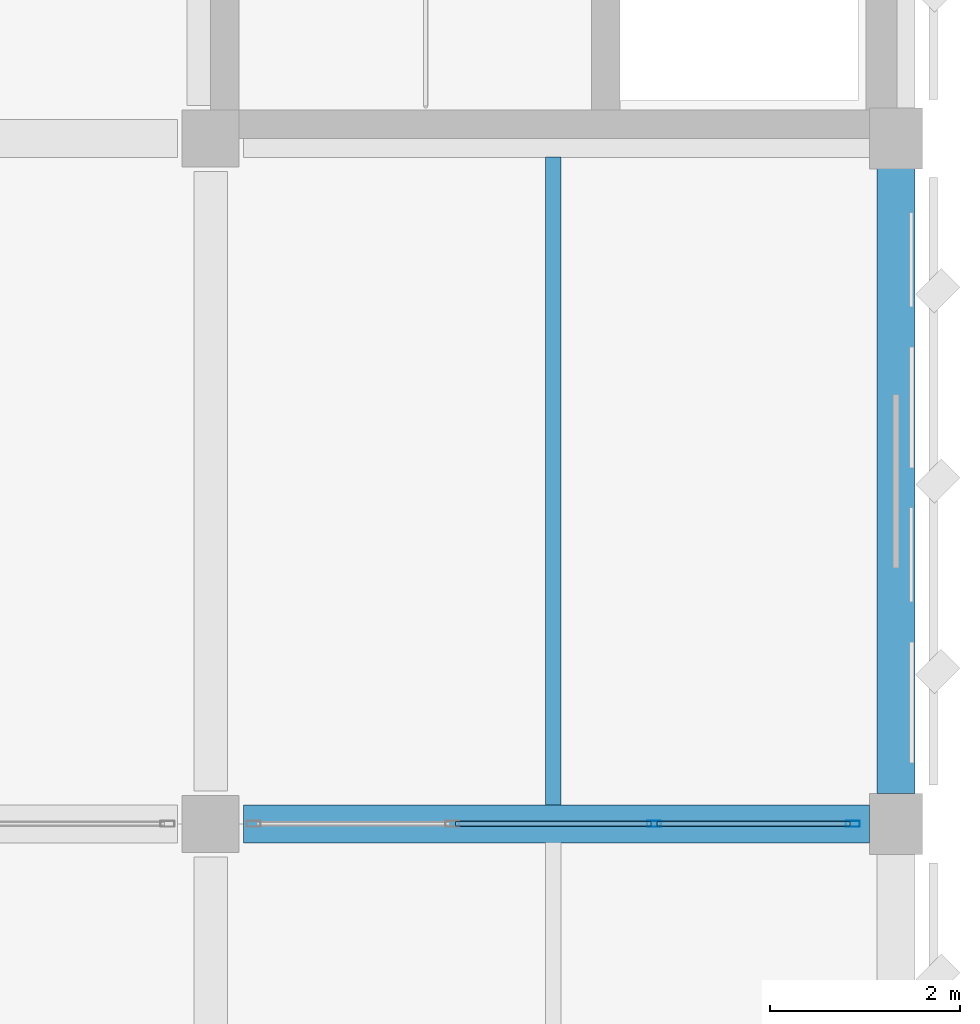
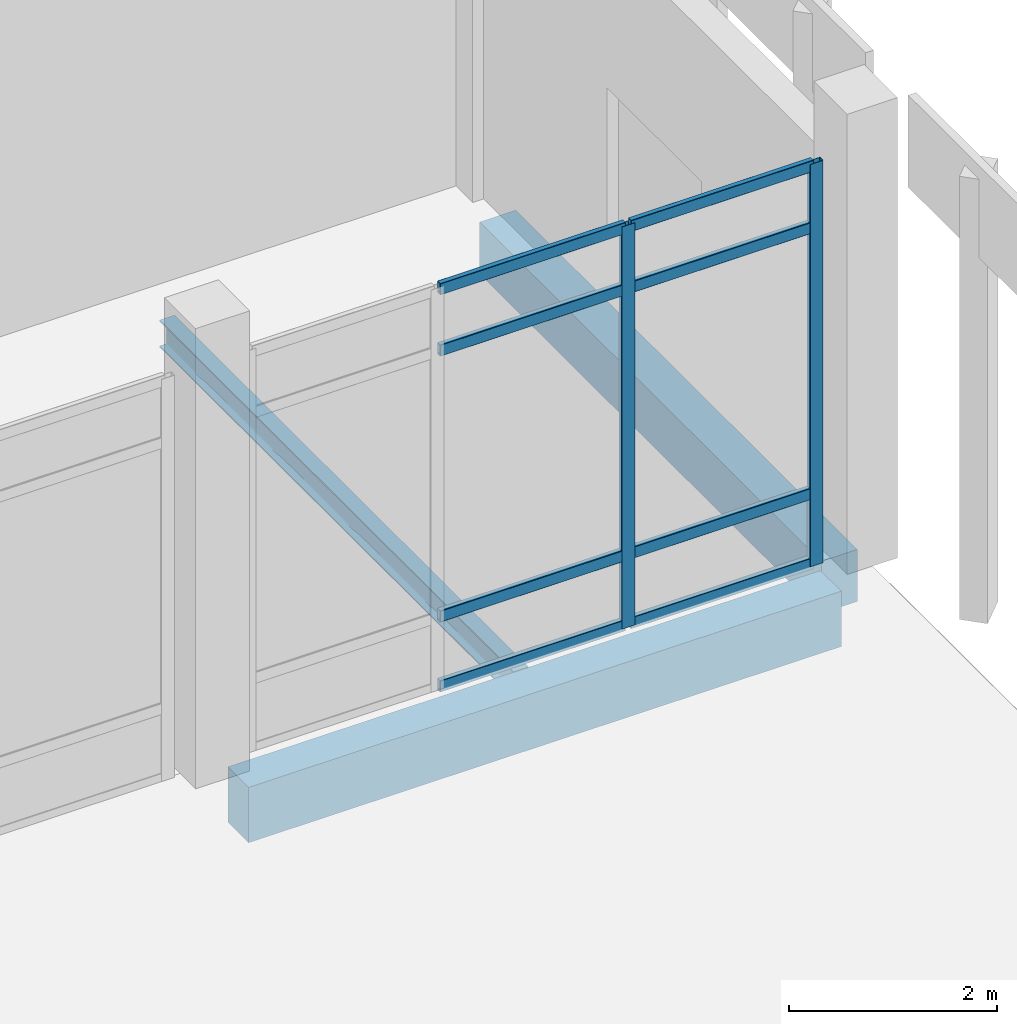
# One storey, part 136 of 180: 10 members, 3 beams, 1 element without a shape of its own.
"""IFC4 building model written with IfcOpenShell, lengths in metres."""

from ifc_helpers import new_model, si_unit, direction, frame, origin, origin_2d, place, context, subcontext, project, spatial, rectangle, hollow_rectangle, i_section, extrude, material, material_profile, profile_set, type_object, element, aggregate, save


model = new_model("IFC4")

# Units and contexts
model_context = context("Model", 3, precision=1e-05, world=origin(), true_north=direction((0.0, 1.0)))
body_context = subcontext(model_context, "Body", "Model", "MODEL_VIEW")
ifc_project = project(units=[si_unit("LENGTHUNIT", "METRE"), si_unit("AREAUNIT", "SQUARE_METRE"), si_unit("VOLUMEUNIT", "CUBIC_METRE"), si_unit("PLANEANGLEUNIT", "RADIAN"), si_unit("MASSUNIT", "GRAM", prefix="KILO")], contexts=[model_context])

# Site, building, storey
site_placement = place(None, origin())
site = spatial("IfcSite", under=ifc_project, at=site_placement, CompositionType="ELEMENT")
building_placement = place(site_placement, origin())
building = spatial("IfcBuilding", under=site, at=building_placement, Name="Lusvemor Sports Hall", CompositionType="ELEMENT")
storey_placement = place(building_placement, frame((0.0, 0.0, 5.39990234375)))
storey = spatial("IfcBuildingStorey", under=building, at=storey_placement, Name="L01", CompositionType="ELEMENT", Elevation=5.39990234375)

# Beam
ifc_material_1 = material(Name="Concrete C40/50", Category="concrete")
ifc_material_profile_1 = material_profile(ifc_material_1, rectangle(XDim=0.39990234375, YDim=0.64990234375, at=origin_2d()), Name="RC400x650")
ifc_profile_set_1 = profile_set([ifc_material_profile_1], Name="Concrete C40/50")
beam_type_1 = type_object("IfcBeamType", Name="BEAM_RC_650", PredefinedType="BEAM", material=ifc_profile_set_1)
beam_1_placement = place(storey_placement, frame((162.345947265625, 97.199951171875, -0.594970703125), z_axis=(1.0, 0.0, 0.0), x_axis=(0.0, 1.0, 0.0)))
element("IfcBeam", 1, at=beam_1_placement, inside=storey, type_object=beam_type_1, Name="Beam L01 N:19-20", PredefinedType="BEAM", context=body_context, shape_type="SweptSolid", body=[
    extrude(rectangle(XDim=0.39990234375, YDim=0.64990234375, at=origin_2d()), origin(), (0.0, 0.0, 1.0), 6.578125),
])

# Curtain wall, members
ifc_material_2 = material(Name="Thermally broken bronze-anodized aluminium", Category="aluminium")
curtain_wall_type = type_object("IfcCurtainWallType", Name="CW_WING_B", PredefinedType="NOTDEFINED", material=ifc_material_2)
curtain_wall_placement = place(storey_placement, origin())
curtain_wall = element("IfcCurtainWall", 2, at=curtain_wall_placement, inside=storey, type_object=curtain_wall_type, Name="Curtain Wall CW-L01-S-3-16", PredefinedType="NOTDEFINED")
ifc_material_3 = material(Name="Thermally broken bronze-anodized aluminium", Category="aluminium")
ifc_material_profile_2 = material_profile(ifc_material_3, hollow_rectangle(XDim=0.06494140625, YDim=0.14990234375, WallThickness=0.00390625, InnerFilletRadius=0.00390625, OuterFilletRadius=0.008056640625, at=origin_2d()), Name="CWMUL150x65x4")
ifc_profile_set_2 = profile_set([ifc_material_profile_2], Name="Thermally broken bronze-anodized aluminium")
member_type_1 = type_object("IfcMemberType", Name="CW_MUL_B", PredefinedType="MULLION", material=ifc_profile_set_2)
member_1_placement = place(storey_placement, frame((168.74755859375, 97.199951171875, 0.0), z_axis=(0.0, 0.0, 1.0), x_axis=(0.0, -1.0, 0.0)))
member_1 = element("IfcMember", 3, at=member_1_placement, type_object=member_type_1, Name="CW02 mullion 1", PredefinedType="MULLION", context=body_context, shape_type="SweptSolid", body=[
    extrude(hollow_rectangle(XDim=0.06494140625, YDim=0.14990234375, WallThickness=0.00390625, InnerFilletRadius=0.00390625, OuterFilletRadius=0.008056640625, at=origin_2d()), origin(), (0.0, 0.0, 1.0), 4.72021484375),
])
member_2_placement = place(storey_placement, frame((166.659912109375, 97.199951171875, 0.0), z_axis=(0.0, 0.0, 1.0), x_axis=(0.0, -1.0, 0.0)))
member_2 = element("IfcMember", 4, at=member_2_placement, type_object=member_type_1, Name="CW02 mullion 2", PredefinedType="MULLION", context=body_context, shape_type="SweptSolid", body=[
    extrude(hollow_rectangle(XDim=0.06494140625, YDim=0.14990234375, WallThickness=0.00390625, InnerFilletRadius=0.00390625, OuterFilletRadius=0.008056640625, at=origin_2d()), origin(), (0.0, 0.0, 1.0), 4.72021484375),
])
ifc_material_4 = material(Name="Thermally broken bronze-anodized aluminium", Category="aluminium")
ifc_material_profile_3 = material_profile(ifc_material_4, hollow_rectangle(XDim=0.06005859375, YDim=0.135009765625, WallThickness=0.00390625, InnerFilletRadius=0.00390625, OuterFilletRadius=0.008056640625, at=origin_2d()), Name="CWTRN135x60x4")
ifc_profile_set_3 = profile_set([ifc_material_profile_3], Name="Thermally broken bronze-anodized aluminium")
member_type_2 = type_object("IfcMemberType", Name="CW_TRN_B", PredefinedType="USERDEFINED", material=ifc_profile_set_3)
member_3_placement = place(storey_placement, frame((168.715087890625, 97.199951171875, 0.030029296875), z_axis=(-1.0, 0.0, 0.0), x_axis=(0.0, -1.0, 0.0)))
member_3 = element("IfcMember", 5, at=member_3_placement, type_object=member_type_2, Name="CW02 transom 1.1", ObjectType="TRANSOM", PredefinedType="USERDEFINED", context=body_context, shape_type="SweptSolid", body=[
    extrude(hollow_rectangle(XDim=0.06005859375, YDim=0.135009765625, WallThickness=0.00390625, InnerFilletRadius=0.00390625, OuterFilletRadius=0.008056640625, at=origin_2d()), origin(), (0.0, 0.0, 1.0), 2.022705078125),
])
member_4_placement = place(storey_placement, frame((168.715087890625, 97.199951171875, 0.85009765625), z_axis=(-1.0, 0.0, 0.0), x_axis=(0.0, -1.0, 0.0)))
member_4 = element("IfcMember", 6, at=member_4_placement, type_object=member_type_2, Name="CW02 transom 1.2", ObjectType="TRANSOM", PredefinedType="USERDEFINED", context=body_context, shape_type="SweptSolid", body=[
    extrude(hollow_rectangle(XDim=0.06005859375, YDim=0.135009765625, WallThickness=0.00390625, InnerFilletRadius=0.00390625, OuterFilletRadius=0.008056640625, at=origin_2d()), origin(), (0.0, 0.0, 1.0), 2.022705078125),
])
member_5_placement = place(storey_placement, frame((168.715087890625, 97.199951171875, 3.97021484375), z_axis=(-1.0, 0.0, 0.0), x_axis=(0.0, -1.0, 0.0)))
member_5 = element("IfcMember", 7, at=member_5_placement, type_object=member_type_2, Name="CW02 transom 1.3", ObjectType="TRANSOM", PredefinedType="USERDEFINED", context=body_context, shape_type="SweptSolid", body=[
    extrude(hollow_rectangle(XDim=0.06005859375, YDim=0.135009765625, WallThickness=0.00390625, InnerFilletRadius=0.00390625, OuterFilletRadius=0.008056640625, at=origin_2d()), origin(), (0.0, 0.0, 1.0), 2.022705078125),
])
member_6_placement = place(storey_placement, frame((168.715087890625, 97.199951171875, 4.690185546875), z_axis=(-1.0, 0.0, 0.0), x_axis=(0.0, -1.0, 0.0)))
member_6 = element("IfcMember", 8, at=member_6_placement, type_object=member_type_2, Name="CW02 transom 1.4", ObjectType="TRANSOM", PredefinedType="USERDEFINED", context=body_context, shape_type="SweptSolid", body=[
    extrude(hollow_rectangle(XDim=0.06005859375, YDim=0.135009765625, WallThickness=0.00390625, InnerFilletRadius=0.00390625, OuterFilletRadius=0.008056640625, at=origin_2d()), origin(), (0.0, 0.0, 1.0), 2.022705078125),
])
member_7_placement = place(storey_placement, frame((166.62744140625, 97.199951171875, 0.030029296875), z_axis=(-1.0, 0.0, 0.0), x_axis=(0.0, -1.0, 0.0)))
member_7 = element("IfcMember", 9, at=member_7_placement, type_object=member_type_2, Name="CW02 transom 2.1", ObjectType="TRANSOM", PredefinedType="USERDEFINED", context=body_context, shape_type="SweptSolid", body=[
    extrude(hollow_rectangle(XDim=0.06005859375, YDim=0.135009765625, WallThickness=0.00390625, InnerFilletRadius=0.00390625, OuterFilletRadius=0.008056640625, at=origin_2d()), origin(), (0.0, 0.0, 1.0), 2.054931640625),
])
member_8_placement = place(storey_placement, frame((166.62744140625, 97.199951171875, 0.85009765625), z_axis=(-1.0, 0.0, 0.0), x_axis=(0.0, -1.0, 0.0)))
member_8 = element("IfcMember", 10, at=member_8_placement, type_object=member_type_2, Name="CW02 transom 2.2", ObjectType="TRANSOM", PredefinedType="USERDEFINED", context=body_context, shape_type="SweptSolid", body=[
    extrude(hollow_rectangle(XDim=0.06005859375, YDim=0.135009765625, WallThickness=0.00390625, InnerFilletRadius=0.00390625, OuterFilletRadius=0.008056640625, at=origin_2d()), origin(), (0.0, 0.0, 1.0), 2.054931640625),
])
member_9_placement = place(storey_placement, frame((166.62744140625, 97.199951171875, 3.97021484375), z_axis=(-1.0, 0.0, 0.0), x_axis=(0.0, -1.0, 0.0)))
member_9 = element("IfcMember", 11, at=member_9_placement, type_object=member_type_2, Name="CW02 transom 2.3", ObjectType="TRANSOM", PredefinedType="USERDEFINED", context=body_context, shape_type="SweptSolid", body=[
    extrude(hollow_rectangle(XDim=0.06005859375, YDim=0.135009765625, WallThickness=0.00390625, InnerFilletRadius=0.00390625, OuterFilletRadius=0.008056640625, at=origin_2d()), origin(), (0.0, 0.0, 1.0), 2.054931640625),
])
member_10_placement = place(storey_placement, frame((166.62744140625, 97.199951171875, 4.690185546875), z_axis=(-1.0, 0.0, 0.0), x_axis=(0.0, -1.0, 0.0)))
member_10 = element("IfcMember", 12, at=member_10_placement, type_object=member_type_2, Name="CW02 transom 2.4", ObjectType="TRANSOM", PredefinedType="USERDEFINED", context=body_context, shape_type="SweptSolid", body=[
    extrude(hollow_rectangle(XDim=0.06005859375, YDim=0.135009765625, WallThickness=0.00390625, InnerFilletRadius=0.00390625, OuterFilletRadius=0.008056640625, at=origin_2d()), origin(), (0.0, 0.0, 1.0), 2.054931640625),
])
aggregate(curtain_wall, [member_1, member_2, member_3, member_4, member_5, member_6, member_7, member_8, member_9, member_10])

# Beams
ifc_material_5 = material(Name="Steel S355", Category="steel")
ifc_material_profile_4 = material_profile(ifc_material_5, i_section(OverallWidth=0.1669921875, OverallDepth=0.31689453125, WebThickness=0.007568359375, FlangeThickness=0.01318359375, FilletRadius=0.014892578125, at=origin_2d()), Name="W310x52.0")
ifc_profile_set_4 = profile_set([ifc_material_profile_4], Name="Steel S355")
beam_type_2 = type_object("IfcBeamType", Name="JOIST_ST_310M", PredefinedType="JOIST", material=ifc_profile_set_4)
beam_2_placement = place(storey_placement, frame((165.60009765625, 97.39599609375, -0.42236328125), z_axis=(0.0, 1.0, 0.0), x_axis=(-1.0, 0.0, 0.0)))
element("IfcBeam", 13, at=beam_2_placement, inside=storey, type_object=beam_type_2, Name="Secondary Joist L01 19-20/N-P #1", PredefinedType="JOIST", context=body_context, shape_type="SweptSolid", body=[
    extrude(i_section(OverallWidth=0.1669921875, OverallDepth=0.31689453125, WebThickness=0.007568359375, FlangeThickness=0.01318359375, FilletRadius=0.014892578125, at=origin_2d()), origin(), (0.0, 0.0, 1.0), 6.80810546875),
])
ifc_material_6 = material(Name="Concrete C40/50", Category="concrete")
ifc_material_profile_5 = material_profile(ifc_material_6, rectangle(XDim=0.39990234375, YDim=0.610107421875, at=origin_2d()), Name="RC400x610")
ifc_profile_set_5 = profile_set([ifc_material_profile_5], Name="Concrete C40/50")
beam_type_3 = type_object("IfcBeamType", Name="SPAND_EXT_650", PredefinedType="SPANDREL", material=ifc_profile_set_5)
beam_3_placement = place(storey_placement, frame((169.199951171875, 97.51611328125, -0.56494140625), z_axis=(0.0, 1.0, 0.0), x_axis=(-1.0, 0.0, 0.0)))
element("IfcBeam", 14, at=beam_3_placement, inside=storey, type_object=beam_type_3, Name="Beam L01 20:N-P", PredefinedType="SPANDREL", context=body_context, shape_type="SweptSolid", body=[
    extrude(rectangle(XDim=0.39990234375, YDim=0.610107421875, at=origin_2d()), origin(), (0.0, 0.0, 1.0), 6.56787109375),
])

save(model, "model.ifc")
